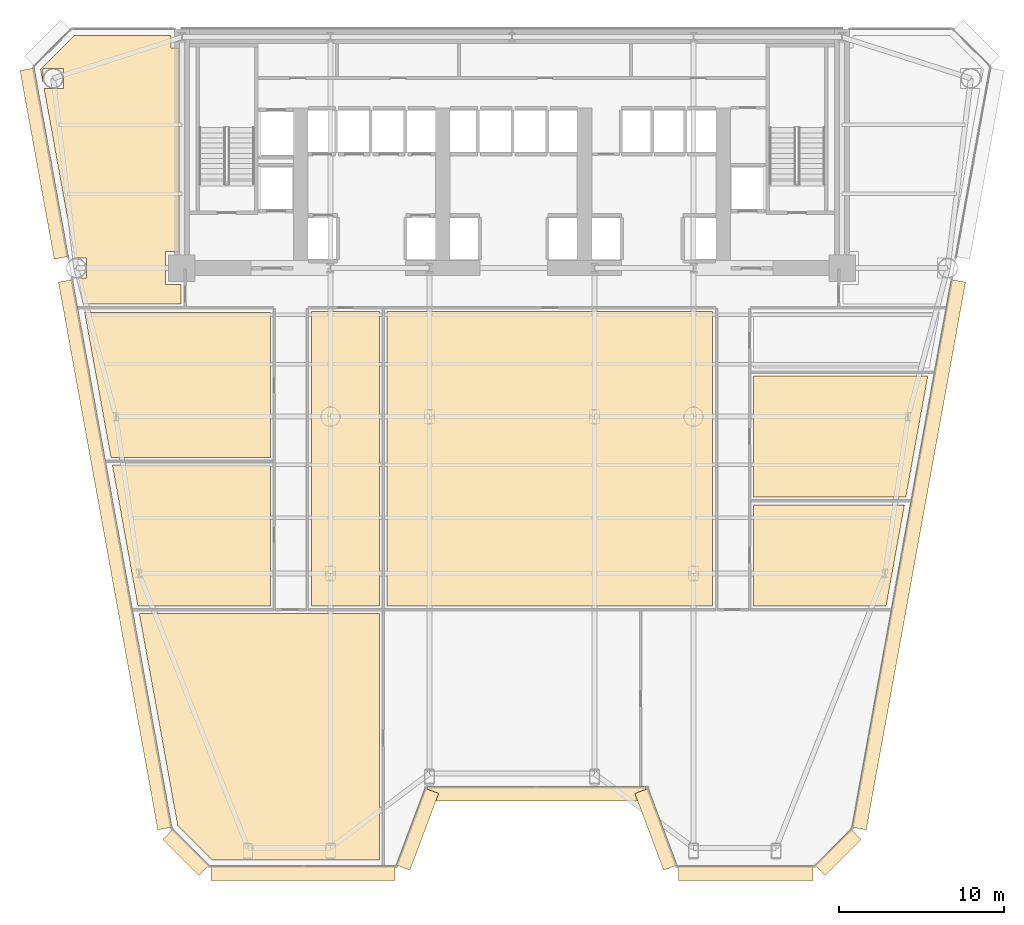
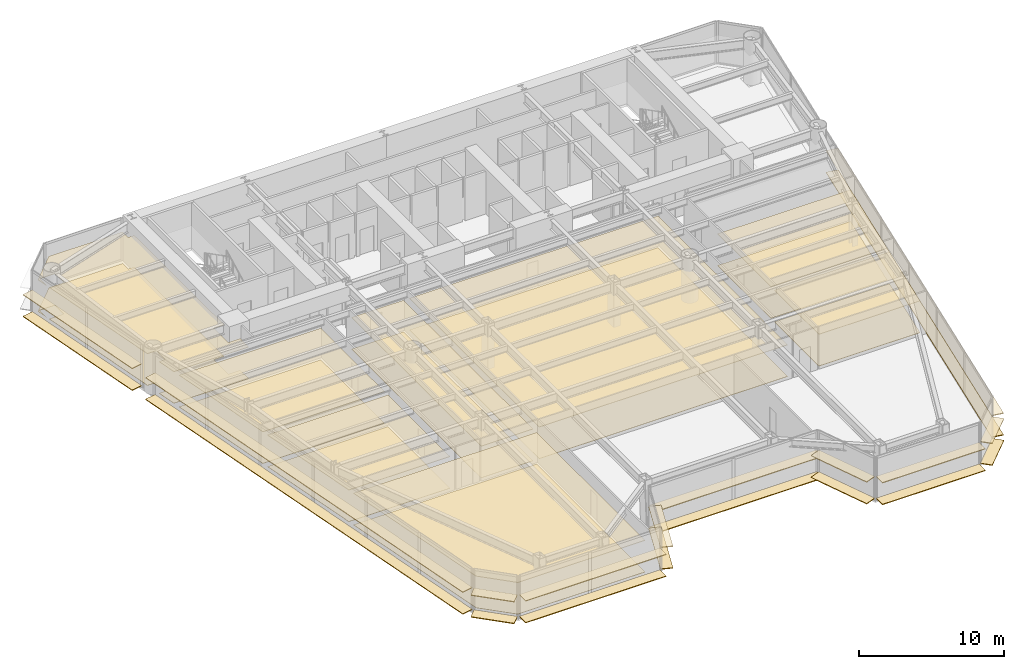
# One storey, part 11 of 14: 36 coverings.
"""IFC4 building model written with IfcOpenShell, lengths in metres."""

from ifc_helpers import new_model, si_unit, direction, frame, origin, origin_2d, place, context, subcontext, project, spatial, polyline, rectangle, outline, extrude, source, transform, mapped, material, layer, layer_set, type_object, element, save


model = new_model("IFC4")

# Units and contexts
model_context = context("Model", 3, precision=1e-05, world=origin(), true_north=direction((0.0, 1.0)))
body_context = subcontext(model_context, "Body", "Model", "MODEL_VIEW")
ifc_project = project(units=[si_unit("LENGTHUNIT", "METRE"), si_unit("AREAUNIT", "SQUARE_METRE"), si_unit("VOLUMEUNIT", "CUBIC_METRE"), si_unit("PLANEANGLEUNIT", "RADIAN"), si_unit("MASSUNIT", "GRAM", prefix="KILO")], contexts=[model_context])

# Site, building, storey
site_placement = place(None, origin())
site = spatial("IfcSite", under=ifc_project, at=site_placement, CompositionType="ELEMENT")
building_placement = place(site_placement, origin())
building = spatial("IfcBuilding", under=site, at=building_placement, Name="Vaeldorn Concourse Tower", CompositionType="ELEMENT")
storey_placement = place(building_placement, frame((0.0, 0.0, 22.60009765625)))
storey = spatial("IfcBuildingStorey", under=building, at=storey_placement, Name="L05", CompositionType="ELEMENT", Elevation=22.60009765625)

# Coverings
ifc_material_1 = material(Name="Acoustic Mineral Fibre Board", Category="gypsum")
ifc_layer_1 = layer(ifc_material_1, 0.0400390625)
ifc_layer_set_1 = layer_set([ifc_layer_1], Name="Acoustic Mineral Fibre Board")
covering_type_1 = type_object("IfcCoveringType", Name="COV-CEIL-ACOUSTIC", PredefinedType="CEILING", material=ifc_layer_set_1)
covering_1_placement = place(storey_placement, frame((0.0, 0.0, 2.64990234375)))
element("IfcCovering", 1, at=covering_1_placement, inside=storey, type_object=covering_type_1, Name="Suspended Acoustic Ceiling L05-3", PredefinedType="CEILING", context=body_context, shape_type="SweptSolid", body=[
    extrude(outline(polyline([(7.4658203125, 50.60009765625), (13.340087890625, 50.60009765625), (13.340087890625, 49.840087890625), (13.820068359375, 49.840087890625), (13.820068359375, 37.5), (13.0, 37.5), (13.0, 35.5), (13.93994140625, 35.5), (13.93994140625, 34.340087890625), (8.01220703125, 34.340087890625), (7.768798828125, 35.679931640625), (7.76904296875, 35.679931640625), (7.730712890625, 35.890380859375), (8.20947265625, 35.890380859375), (8.20947265625, 37.109619140625), (7.509521484375, 37.109619140625), (5.64404296875, 47.390380859375), (6.8095703125, 47.390380859375), (6.8095703125, 48.609619140625), (5.590576171875, 48.609619140625), (5.590576171875, 47.685791015625), (5.430908203125, 48.565185546875), (7.4658203125, 50.60009765625)])), origin(), (0.0, 0.0, 1.0), 0.0400390625),
])
covering_2_placement = place(storey_placement, frame((0.0, 0.0, 2.64990234375)))
element("IfcCovering", 2, at=covering_2_placement, inside=storey, type_object=covering_type_1, Name="Suspended Acoustic Ceiling L05-5", PredefinedType="CEILING", context=body_context, shape_type="SweptSolid", body=[
    extrude(outline(polyline([(19.360107421875, 24.56005859375), (19.360107421875, 16.0400390625), (11.33251953125, 16.0400390625), (9.78662109375, 24.56005859375), (19.360107421875, 24.56005859375)])), origin(), (0.0, 0.0, 1.0), 0.0400390625),
])
covering_3_placement = place(storey_placement, frame((0.0, 0.0, 2.64990234375)))
element("IfcCovering", 3, at=covering_3_placement, inside=storey, type_object=covering_type_1, Name="Suspended Acoustic Ceiling L05-6", PredefinedType="CEILING", context=body_context, shape_type="SweptSolid", body=[
    extrude(outline(polyline([(19.360107421875, 33.800048828125), (19.360107421875, 25.0400390625), (9.699462890625, 25.0400390625), (8.110107421875, 33.800048828125), (19.360107421875, 33.800048828125)])), origin(), (0.0, 0.0, 1.0), 0.0400390625),
])
covering_4_placement = place(storey_placement, frame((0.0, 0.0, 2.64990234375)))
element("IfcCovering", 4, at=covering_4_placement, inside=storey, type_object=covering_type_1, Name="Suspended Acoustic Ceiling L05-7", PredefinedType="CEILING", context=body_context, shape_type="SweptSolid", body=[
    extrude(outline(polyline([(48.639892578125, 16.0400390625), (48.639892578125, 22.159912109375), (57.778076171875, 22.159912109375), (56.66748046875, 16.0400390625), (48.639892578125, 16.0400390625)])), origin(), (0.0, 0.0, 1.0), 0.0400390625),
])
covering_5_placement = place(storey_placement, frame((0.0, 0.0, 2.64990234375)))
element("IfcCovering", 5, at=covering_5_placement, inside=storey, type_object=covering_type_1, Name="Suspended Acoustic Ceiling L05-8", PredefinedType="CEILING", context=body_context, shape_type="SweptSolid", body=[
    extrude(outline(polyline([(48.639892578125, 22.639892578125), (48.639892578125, 29.9599609375), (59.193359375, 29.9599609375), (57.864990234375, 22.639892578125), (48.639892578125, 22.639892578125)])), origin(), (0.0, 0.0, 1.0), 0.0400390625),
])
covering_6_placement = place(storey_placement, frame((0.0, 0.0, 2.64990234375)))
element("IfcCovering", 6, at=covering_6_placement, inside=storey, type_object=covering_type_1, Name="Suspended Acoustic Ceiling L05-10", PredefinedType="CEILING", context=body_context, shape_type="SweptSolid", body=[
    extrude(outline(polyline([(21.840087890625, 33.860107421875), (25.9599609375, 33.860107421875), (25.9599609375, 16.0400390625), (21.840087890625, 16.0400390625), (21.840087890625, 33.860107421875)])), origin(), (0.0, 0.0, 1.0), 0.0400390625),
])
covering_7_placement = place(storey_placement, frame((0.0, 0.0, 2.64990234375)))
element("IfcCovering", 7, at=covering_7_placement, inside=storey, type_object=covering_type_1, Name="Suspended Acoustic Ceiling L05-11", PredefinedType="CEILING", context=body_context, shape_type="SweptSolid", body=[
    extrude(outline(polyline([(26.43994140625, 33.860107421875), (46.159912109375, 33.860107421875), (46.159912109375, 16.0400390625), (26.43994140625, 16.0400390625), (26.43994140625, 33.860107421875)])), origin(), (0.0, 0.0, 1.0), 0.0400390625),
])
covering_8_placement = place(storey_placement, frame((0.0, 0.0, 2.64990234375)))
element("IfcCovering", 8, at=covering_8_placement, inside=storey, type_object=covering_type_1, Name="Suspended Acoustic Ceiling L05-12", PredefinedType="CEILING", context=body_context, shape_type="SweptSolid", body=[
    extrude(outline(polyline([(25.9599609375, 15.56005859375), (25.9599609375, 0.63916015625), (15.84130859375, 0.63916015625), (13.746826171875, 2.7333984375), (11.41943359375, 15.56005859375), (25.9599609375, 15.56005859375)])), origin(), (0.0, 0.0, 1.0), 0.0400390625),
])
ifc_material_2 = material(Name="Honed Limestone Terrazzo Flooring", Category="masonry")
ifc_layer_2 = layer(ifc_material_2, 0.0400390625)
ifc_layer_set_2 = layer_set([ifc_layer_2], Name="Honed Limestone Terrazzo Flooring")
covering_type_2 = type_object("IfcCoveringType", Name="COV-FLOOR-STONE", PredefinedType="FLOORING", material=ifc_layer_set_2)
covering_9_placement = place(storey_placement, origin())
element("IfcCovering", 9, at=covering_9_placement, inside=storey, type_object=covering_type_2, Name="Floor Finish Covering L05-3", PredefinedType="FLOORING", context=body_context, shape_type="SweptSolid", body=[
    extrude(outline(polyline([(7.4658203125, 50.60009765625), (13.340087890625, 50.60009765625), (13.340087890625, 49.840087890625), (13.820068359375, 49.840087890625), (13.820068359375, 37.5), (13.0, 37.5), (13.0, 35.5), (13.93994140625, 35.5), (13.93994140625, 34.340087890625), (8.01220703125, 34.340087890625), (7.768798828125, 35.679931640625), (7.76904296875, 35.679931640625), (7.730712890625, 35.890380859375), (8.20947265625, 35.890380859375), (8.20947265625, 37.109619140625), (7.509521484375, 37.109619140625), (5.64404296875, 47.390380859375), (6.8095703125, 47.390380859375), (6.8095703125, 48.609619140625), (5.590576171875, 48.609619140625), (5.590576171875, 47.685791015625), (5.430908203125, 48.565185546875), (7.4658203125, 50.60009765625)])), origin(), (0.0, 0.0, 1.0), 0.02978515625),
])
covering_10_placement = place(storey_placement, origin())
element("IfcCovering", 10, at=covering_10_placement, inside=storey, type_object=covering_type_2, Name="Floor Finish Covering L05-5", PredefinedType="FLOORING", context=body_context, shape_type="SweptSolid", body=[
    extrude(outline(polyline([(19.360107421875, 24.56005859375), (19.360107421875, 16.0400390625), (11.33251953125, 16.0400390625), (9.78662109375, 24.56005859375), (19.360107421875, 24.56005859375)])), origin(), (0.0, 0.0, 1.0), 0.02978515625),
])
covering_11_placement = place(storey_placement, origin())
element("IfcCovering", 11, at=covering_11_placement, inside=storey, type_object=covering_type_2, Name="Floor Finish Covering L05-6", PredefinedType="FLOORING", context=body_context, shape_type="SweptSolid", body=[
    extrude(outline(polyline([(19.360107421875, 33.800048828125), (19.360107421875, 25.0400390625), (9.699462890625, 25.0400390625), (8.110107421875, 33.800048828125), (19.360107421875, 33.800048828125)])), origin(), (0.0, 0.0, 1.0), 0.02978515625),
])
covering_12_placement = place(storey_placement, origin())
element("IfcCovering", 12, at=covering_12_placement, inside=storey, type_object=covering_type_2, Name="Floor Finish Covering L05-7", PredefinedType="FLOORING", context=body_context, shape_type="SweptSolid", body=[
    extrude(outline(polyline([(48.639892578125, 16.0400390625), (48.639892578125, 22.159912109375), (57.778076171875, 22.159912109375), (56.66748046875, 16.0400390625), (48.639892578125, 16.0400390625)])), origin(), (0.0, 0.0, 1.0), 0.02978515625),
])
covering_13_placement = place(storey_placement, origin())
element("IfcCovering", 13, at=covering_13_placement, inside=storey, type_object=covering_type_2, Name="Floor Finish Covering L05-8", PredefinedType="FLOORING", context=body_context, shape_type="SweptSolid", body=[
    extrude(outline(polyline([(48.639892578125, 22.639892578125), (48.639892578125, 29.9599609375), (59.193359375, 29.9599609375), (57.864990234375, 22.639892578125), (48.639892578125, 22.639892578125)])), origin(), (0.0, 0.0, 1.0), 0.02978515625),
])
covering_14_placement = place(storey_placement, origin())
element("IfcCovering", 14, at=covering_14_placement, inside=storey, type_object=covering_type_2, Name="Floor Finish Covering L05-10", PredefinedType="FLOORING", context=body_context, shape_type="SweptSolid", body=[
    extrude(outline(polyline([(21.840087890625, 33.860107421875), (25.9599609375, 33.860107421875), (25.9599609375, 16.0400390625), (21.840087890625, 16.0400390625), (21.840087890625, 33.860107421875)])), origin(), (0.0, 0.0, 1.0), 0.02978515625),
])
covering_15_placement = place(storey_placement, origin())
element("IfcCovering", 15, at=covering_15_placement, inside=storey, type_object=covering_type_2, Name="Floor Finish Covering L05-11", PredefinedType="FLOORING", context=body_context, shape_type="SweptSolid", body=[
    extrude(outline(polyline([(26.43994140625, 33.860107421875), (46.159912109375, 33.860107421875), (46.159912109375, 16.0400390625), (26.43994140625, 16.0400390625), (26.43994140625, 33.860107421875)])), origin(), (0.0, 0.0, 1.0), 0.02978515625),
])
covering_16_placement = place(storey_placement, origin())
element("IfcCovering", 16, at=covering_16_placement, inside=storey, type_object=covering_type_2, Name="Floor Finish Covering L05-12", PredefinedType="FLOORING", context=body_context, shape_type="SweptSolid", body=[
    extrude(outline(polyline([(25.9599609375, 15.56005859375), (25.9599609375, 0.63916015625), (15.84130859375, 0.63916015625), (13.746826171875, 2.7333984375), (11.41943359375, 15.56005859375), (25.9599609375, 15.56005859375)])), origin(), (0.0, 0.0, 1.0), 0.02978515625),
])
ifc_material_3 = material(Name="Anodised Bronze Aluminium", Category="aluminium")
ifc_layer_3 = layer(ifc_material_3, 0.06494140625)
ifc_layer_set_3 = layer_set([ifc_layer_3], Name="Anodised Bronze Aluminium")
covering_type_3 = type_object("IfcCoveringType", Name="SD-BRONZE-SUNSHADE", PredefinedType="USERDEFINED", material=ifc_layer_set_3)
shared_shape_1 = source(origin(), body_context, "Body", "SweptSolid", [
    extrude(rectangle(XDim=4.96630859375, YDim=0.8798828125, at=origin_2d()), origin(), (0.0, 0.0, 1.0), 0.06494140625),
])
for number, where, z_axis, x_axis, name in (
    (17, (28.2744140625, 2.498779296875, 0.04736328125), (0.0, 0.0, 1.0), (0.351122702609, 0.936329454686, 0.0), "Horizontal Bronze Sunshade L05-E02.1.1"),
    (18, (28.2744140625, 2.498779296875, 1.867431640625), (0.0, 0.0, 1.0), (0.351122702609, 0.936329454686, 0.0), "Horizontal Bronze Sunshade L05-E02.1.2"),
    (19, (42.7255859375, 2.498779296875, 0.04736328125), (0.0, 0.0, 1.0), (0.351122702609, -0.936329454686, 0.0), "Horizontal Bronze Sunshade L05-E04.1.1"),
    (20, (42.7255859375, 2.498779296875, 1.867431640625), (0.0, 0.0, 1.0), (0.351122702609, -0.936329454686, 0.0), "Horizontal Bronze Sunshade L05-E04.1.2"),
):
    element("IfcCovering", number, at=place(storey_placement, frame(where, z_axis=z_axis, x_axis=x_axis)), inside=storey, type_object=covering_type_3, Name=name, ObjectType="SUNSHADE", PredefinedType="USERDEFINED", context=body_context, shape_type="MappedRepresentation", body=[
        mapped(shared_shape_1, transform((0.0, 0.0, 0.0), scale=1.0)),
    ])
shared_shape_2 = source(origin(), body_context, "Body", "SweptSolid", [
    extrude(rectangle(XDim=13.239990234375, YDim=0.8798828125, at=origin_2d()), origin(), (0.0, 0.0, 1.0), 0.06494140625),
])
for number, where, z_axis, x_axis, name in (
    (21, (35.5, 4.63916015625, 0.04736328125), (0.0, 0.0, 1.0), (1.0, 0.0, 0.0), "Horizontal Bronze Sunshade L05-E03.1.1"),
    (22, (35.5, 4.63916015625, 1.867431640625), (0.0, 0.0, 1.0), (1.0, 0.0, 0.0), "Horizontal Bronze Sunshade L05-E03.1.2"),
):
    element("IfcCovering", number, at=place(storey_placement, frame(where, z_axis=z_axis, x_axis=x_axis)), inside=storey, type_object=covering_type_3, Name=name, ObjectType="SUNSHADE", PredefinedType="USERDEFINED", context=body_context, shape_type="MappedRepresentation", body=[
        mapped(shared_shape_2, transform((0.0, 0.0, 0.0), scale=1.0)),
    ])
shared_shape_3 = source(origin(), body_context, "Body", "SweptSolid", [
    extrude(rectangle(XDim=3.0927734375, YDim=0.8798828125, at=origin_2d()), origin(), (0.0, 0.0, 1.0), 0.06494140625),
])
for number, where, z_axis, x_axis, name in (
    (23, (53.75732421875, 1.106201171875, 0.04736328125), (0.0, 0.0, 1.0), (0.707106781187, 0.707106781187, 0.0), "Horizontal Bronze Sunshade L05-E06.1.1"),
    (24, (53.75732421875, 1.106201171875, 1.867431640625), (0.0, 0.0, 1.0), (0.707106781187, 0.707106781187, 0.0), "Horizontal Bronze Sunshade L05-E06.1.2"),
    (25, (14.24267578125, 1.106201171875, 0.04736328125), (0.0, 0.0, 1.0), (0.707106781187, -0.707106781187, 0.0), "Horizontal Bronze Sunshade L05-E12.1.1"),
    (26, (14.24267578125, 1.106201171875, 1.867431640625), (0.0, 0.0, 1.0), (0.707106781187, -0.707106781187, 0.0), "Horizontal Bronze Sunshade L05-E12.1.2"),
):
    element("IfcCovering", number, at=place(storey_placement, frame(where, z_axis=z_axis, x_axis=x_axis)), inside=storey, type_object=covering_type_3, Name=name, ObjectType="SUNSHADE", PredefinedType="USERDEFINED", context=body_context, shape_type="MappedRepresentation", body=[
        mapped(shared_shape_3, transform((0.0, 0.0, 0.0), scale=1.0)),
    ])
shared_shape_4 = source(origin(), body_context, "Body", "SweptSolid", [
    extrude(rectangle(XDim=11.16455078125, YDim=0.8798828125, at=origin_2d()), origin(), (0.0, 0.0, 1.0), 0.06494140625),
])
for number, where, z_axis, x_axis, name in (
    (27, (21.337646484375, -0.160888671875, 0.04736328125), (0.0, 0.0, 1.0), (1.0, 0.0, 0.0), "Horizontal Bronze Sunshade L05-E01.1.1"),
    (28, (21.337646484375, -0.160888671875, 1.867431640625), (0.0, 0.0, 1.0), (1.0, 0.0, 0.0), "Horizontal Bronze Sunshade L05-E01.1.2"),
):
    element("IfcCovering", number, at=place(storey_placement, frame(where, z_axis=z_axis, x_axis=x_axis)), inside=storey, type_object=covering_type_3, Name=name, ObjectType="SUNSHADE", PredefinedType="USERDEFINED", context=body_context, shape_type="MappedRepresentation", body=[
        mapped(shared_shape_4, transform((0.0, 0.0, 0.0), scale=1.0)),
    ])
shared_shape_5 = source(origin(), body_context, "Body", "SweptSolid", [
    extrude(rectangle(XDim=8.16455078125, YDim=0.8798828125, at=origin_2d()), origin(), (0.0, 0.0, 1.0), 0.06494140625),
])
for number, where, z_axis, x_axis, name in (
    (29, (48.162353515625, -0.160888671875, 0.04736328125), (0.0, 0.0, 1.0), (1.0, 0.0, 0.0), "Horizontal Bronze Sunshade L05-E05.1.1"),
    (30, (48.162353515625, -0.160888671875, 1.867431640625), (0.0, 0.0, 1.0), (1.0, 0.0, 0.0), "Horizontal Bronze Sunshade L05-E05.1.2"),
):
    element("IfcCovering", number, at=place(storey_placement, frame(where, z_axis=z_axis, x_axis=x_axis)), inside=storey, type_object=covering_type_3, Name=name, ObjectType="SUNSHADE", PredefinedType="USERDEFINED", context=body_context, shape_type="MappedRepresentation", body=[
        mapped(shared_shape_5, transform((0.0, 0.0, 0.0), scale=1.0)),
    ])
shared_shape_6 = source(origin(), body_context, "Body", "SweptSolid", [
    extrude(rectangle(XDim=33.725830078125, YDim=0.8798828125, at=origin_2d()), origin(), (0.0, 0.0, 1.0), 0.06494140625),
])
for number, where, z_axis, x_axis, name in (
    (31, (58.042724609375, 19.138427734375, 0.04736328125), (0.0, 0.0, 1.0), (0.178527455614, 0.983934930568, 0.0), "Horizontal Bronze Sunshade L05-E07.1.1"),
    (32, (58.042724609375, 19.138427734375, 1.867431640625), (0.0, 0.0, 1.0), (0.178527455614, 0.983934930568, 0.0), "Horizontal Bronze Sunshade L05-E07.1.2"),
    (33, (9.957275390625, 19.138427734375, 0.04736328125), (0.0, 0.0, 1.0), (0.178527455614, -0.983934930568, 0.0), "Horizontal Bronze Sunshade L05-E11.2.1"),
    (34, (9.957275390625, 19.138427734375, 1.867431640625), (0.0, 0.0, 1.0), (0.178527455614, -0.983934930568, 0.0), "Horizontal Bronze Sunshade L05-E11.2.2"),
):
    element("IfcCovering", number, at=place(storey_placement, frame(where, z_axis=z_axis, x_axis=x_axis)), inside=storey, type_object=covering_type_3, Name=name, ObjectType="SUNSHADE", PredefinedType="USERDEFINED", context=body_context, shape_type="MappedRepresentation", body=[
        mapped(shared_shape_6, transform((0.0, 0.0, 0.0), scale=1.0)),
    ])
shared_shape_7 = source(origin(), body_context, "Body", "SweptSolid", [
    extrude(rectangle(XDim=11.609619140625, YDim=0.8798828125, at=origin_2d()), origin(), (0.0, 0.0, 1.0), 0.06494140625),
])
for number, where, z_axis, x_axis, name in (
    (35, (5.656982421875, 42.83837890625, 0.04736328125), (0.0, 0.0, 1.0), (0.178527455614, -0.983934930568, 0.0), "Horizontal Bronze Sunshade L05-E11.1.1"),
    (36, (5.656982421875, 42.83837890625, 1.867431640625), (0.0, 0.0, 1.0), (0.178527455614, -0.983934930568, 0.0), "Horizontal Bronze Sunshade L05-E11.1.2"),
):
    element("IfcCovering", number, at=place(storey_placement, frame(where, z_axis=z_axis, x_axis=x_axis)), inside=storey, type_object=covering_type_3, Name=name, ObjectType="SUNSHADE", PredefinedType="USERDEFINED", context=body_context, shape_type="MappedRepresentation", body=[
        mapped(shared_shape_7, transform((0.0, 0.0, 0.0), scale=1.0)),
    ])

save(model, "model.ifc")
